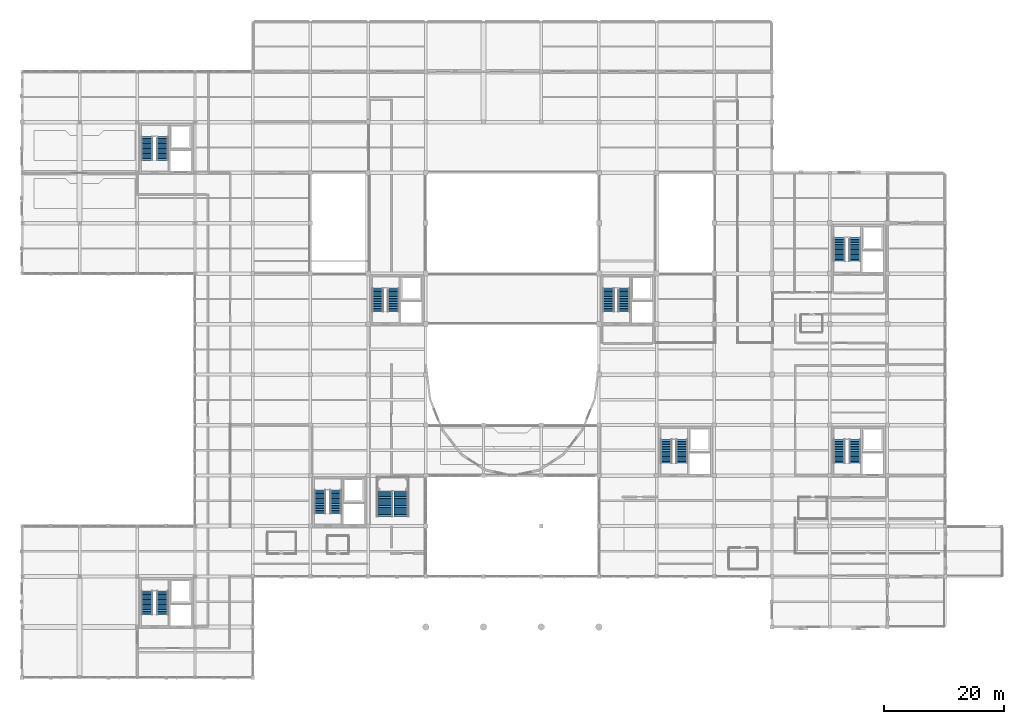
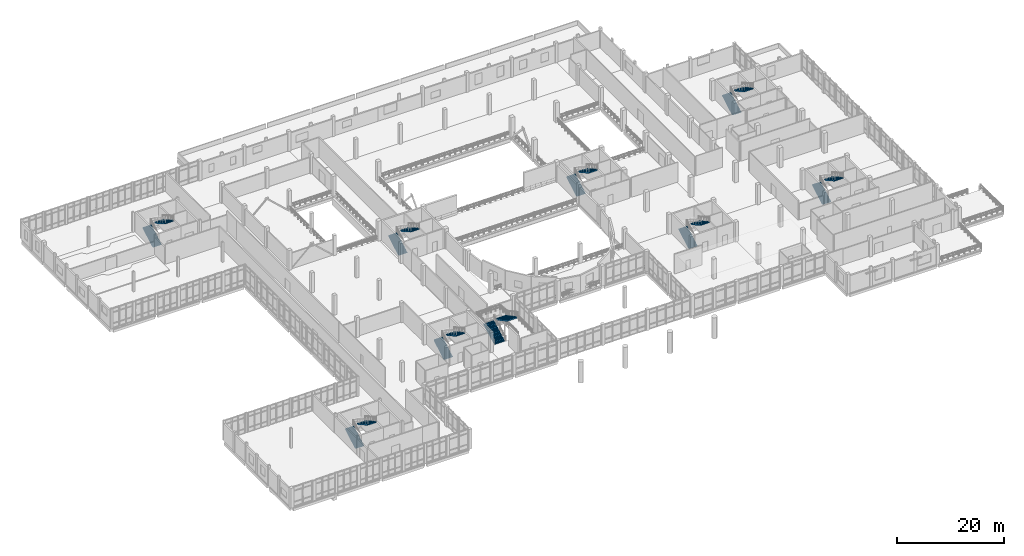
# One storey, part 95 of 102: 18 stair flights, 9 elements without a shape of their own.
"""IFC4 building model written with IfcOpenShell, lengths in metres."""

from ifc_helpers import new_model, si_unit, direction, frame, origin, place, context, subcontext, project, spatial, polyline, outline, extrude, material, layer, layer_set, type_object, element, aggregate, save


model = new_model("IFC4")

# Units and contexts
model_context = context("Model", 3, precision=1e-05, world=origin(), true_north=direction((0.0, 1.0)))
body_context = subcontext(model_context, "Body", "Model", "MODEL_VIEW")
ifc_project = project(units=[si_unit("LENGTHUNIT", "METRE"), si_unit("AREAUNIT", "SQUARE_METRE"), si_unit("VOLUMEUNIT", "CUBIC_METRE"), si_unit("PLANEANGLEUNIT", "RADIAN"), si_unit("MASSUNIT", "GRAM", prefix="KILO")], contexts=[model_context])

# Site, building, storey
site_placement = place(None, origin())
site = spatial("IfcSite", under=ifc_project, at=site_placement, CompositionType="ELEMENT")
building_placement = place(site_placement, origin())
building = spatial("IfcBuilding", under=site, at=building_placement, Name="Lornevale Opera House", CompositionType="ELEMENT")
storey_placement = place(building_placement, frame((0.0, 0.0, 5.39990234375)))
storey = spatial("IfcBuildingStorey", under=building, at=storey_placement, Name="L02", CompositionType="ELEMENT", Elevation=5.39990234375)

# Stair, stair flights
ifc_material = material(Name="Concrete 35 MPa (CSA A23.1 N)", Category="concrete")
ifc_layer_1 = layer(ifc_material, 4.800048828125)
ifc_layer_set_1 = layer_set([ifc_layer_1], Name="Concrete 35 MPa (CSA A23.1 N)")
stair_type_1 = type_object("IfcStairType", Name="Protected Exit Stair 4800-W1840", PredefinedType="TWO_STRAIGHT_RUN_STAIR", material=ifc_layer_set_1)
stair_1_placement = place(storey_placement, origin())
stair_1 = element("IfcStair", 1, at=stair_1_placement, inside=storey, type_object=stair_type_1, Name="South-West Foyer Core Stair ST-04 (L02-L03)", PredefinedType="TWO_STRAIGHT_RUN_STAIR")
ifc_layer_2 = layer(ifc_material, 0.199951171875)
ifc_layer_set_2 = layer_set([ifc_layer_2], Name="Concrete 35 MPa (CSA A23.1 N)")
stair_flight_type_1 = type_object("IfcStairFlightType", Name="Exit Stair Flight 15R-W1840", PredefinedType="STRAIGHT", material=ifc_layer_set_2)
stair_flight_1_placement = place(storey_placement, frame((49.60009765625, 27.260009765625, 0.0), z_axis=(0.0, 0.0, 1.0), x_axis=(0.0, 1.0, 0.0)))
stair_flight_1 = element("IfcStairFlight", 2, at=stair_flight_1_placement, type_object=stair_flight_type_1, Name="ST-04 Lower Flight SF-007", NumberOfRisers=15, NumberOfTreads=14, PredefinedType="STRAIGHT", RiserHeight=0.16, TreadLength=0.28, context=body_context, shape_type="SweptSolid", body=[
    extrude(outline(polyline([(0.0, 0.0), (0.0, 0.159912109375), (0.280029296875, 0.159912109375), (0.280029296875, 0.320068359375), (0.56005859375, 0.320068359375), (0.56005859375, 0.47998046875), (0.840087890625, 0.47998046875), (0.840087890625, 0.639892578125), (1.1201171875, 0.639892578125), (1.1201171875, 0.800048828125), (1.39990234375, 0.800048828125), (1.39990234375, 0.9599609375), (1.679931640625, 0.9599609375), (1.679931640625, 1.1201171875), (1.9599609375, 1.1201171875), (1.9599609375, 1.280029296875), (2.239990234375, 1.280029296875), (2.239990234375, 1.43994140625), (2.52001953125, 1.43994140625), (2.52001953125, 1.60009765625), (2.800048828125, 1.60009765625), (2.800048828125, 1.760009765625), (3.080078125, 1.760009765625), (3.080078125, 1.919921875), (3.360107421875, 1.919921875), (3.360107421875, 2.080078125), (3.639892578125, 2.080078125), (3.639892578125, 2.239990234375), (3.919921875, 2.239990234375), (3.919921875, 2.009765625), (0.403076171875, 0.0), (0.0, 0.0)])), frame((0.0, 0.919921875, 0.0), z_axis=(0.0, -1.0, 0.0), x_axis=(1.0, 0.0, 0.0)), (0.0, 0.0, 1.0), 1.840087890625),
])
stair_flight_2_placement = place(storey_placement, frame((52.199951171875, 31.179931640625, 2.400146484375), z_axis=(0.0, 0.0, 1.0), x_axis=(0.0, -1.0, 0.0)))
stair_flight_2 = element("IfcStairFlight", 3, at=stair_flight_2_placement, type_object=stair_flight_type_1, Name="ST-04 Upper Flight SF-008", NumberOfRisers=15, NumberOfTreads=14, PredefinedType="STRAIGHT", RiserHeight=0.16, TreadLength=0.28, context=body_context, shape_type="SweptSolid", body=[
    extrude(outline(polyline([(0.0, 0.0), (0.0, 0.159912109375), (0.280029296875, 0.159912109375), (0.280029296875, 0.320068359375), (0.56005859375, 0.320068359375), (0.56005859375, 0.47998046875), (0.840087890625, 0.47998046875), (0.840087890625, 0.639892578125), (1.1201171875, 0.639892578125), (1.1201171875, 0.800048828125), (1.39990234375, 0.800048828125), (1.39990234375, 0.9599609375), (1.679931640625, 0.9599609375), (1.679931640625, 1.1201171875), (1.9599609375, 1.1201171875), (1.9599609375, 1.280029296875), (2.239990234375, 1.280029296875), (2.239990234375, 1.43994140625), (2.52001953125, 1.43994140625), (2.52001953125, 1.60009765625), (2.800048828125, 1.60009765625), (2.800048828125, 1.760009765625), (3.080078125, 1.760009765625), (3.080078125, 1.919921875), (3.360107421875, 1.919921875), (3.360107421875, 2.080078125), (3.639892578125, 2.080078125), (3.639892578125, 2.239990234375), (3.919921875, 2.239990234375), (3.919921875, 2.009765625), (0.403076171875, 0.0), (0.0, 0.0)])), frame((0.0, 0.919921875, 0.0), z_axis=(0.0, -1.0, 0.0), x_axis=(1.0, 0.0, 0.0)), (0.0, 0.0, 1.0), 1.840087890625),
])
aggregate(stair_1, [stair_flight_1, stair_flight_2])

stair_2_placement = place(storey_placement, origin())
stair_2 = element("IfcStair", 4, at=stair_2_placement, inside=storey, type_object=stair_type_1, Name="South-East Foyer Core Stair ST-07 (L02-L03)", PredefinedType="TWO_STRAIGHT_RUN_STAIR")
stair_flight_3_placement = place(storey_placement, frame((107.199951171875, 35.659912109375, 0.0), z_axis=(0.0, 0.0, 1.0), x_axis=(0.0, 1.0, 0.0)))
stair_flight_3 = element("IfcStairFlight", 5, at=stair_flight_3_placement, type_object=stair_flight_type_1, Name="ST-07 Lower Flight SF-013", NumberOfRisers=15, NumberOfTreads=14, PredefinedType="STRAIGHT", RiserHeight=0.16, TreadLength=0.28, context=body_context, shape_type="SweptSolid", body=[
    extrude(outline(polyline([(0.0, 0.0), (0.0, 0.159912109375), (0.280029296875, 0.159912109375), (0.280029296875, 0.320068359375), (0.56005859375, 0.320068359375), (0.56005859375, 0.47998046875), (0.840087890625, 0.47998046875), (0.840087890625, 0.639892578125), (1.1201171875, 0.639892578125), (1.1201171875, 0.800048828125), (1.39990234375, 0.800048828125), (1.39990234375, 0.9599609375), (1.679931640625, 0.9599609375), (1.679931640625, 1.1201171875), (1.9599609375, 1.1201171875), (1.9599609375, 1.280029296875), (2.239990234375, 1.280029296875), (2.239990234375, 1.43994140625), (2.52001953125, 1.43994140625), (2.52001953125, 1.60009765625), (2.800048828125, 1.60009765625), (2.800048828125, 1.760009765625), (3.080078125, 1.760009765625), (3.080078125, 1.919921875), (3.360107421875, 1.919921875), (3.360107421875, 2.080078125), (3.639892578125, 2.080078125), (3.639892578125, 2.239990234375), (3.919921875, 2.239990234375), (3.919921875, 2.009765625), (0.403076171875, 0.0), (0.0, 0.0)])), frame((0.0, 0.919921875, 0.0), z_axis=(0.0, -1.0, 0.0), x_axis=(1.0, 0.0, 0.0)), (0.0, 0.0, 1.0), 1.840087890625),
])
stair_flight_4_placement = place(storey_placement, frame((109.800048828125, 39.580078125, 2.400146484375), z_axis=(0.0, 0.0, 1.0), x_axis=(0.0, -1.0, 0.0)))
stair_flight_4 = element("IfcStairFlight", 6, at=stair_flight_4_placement, type_object=stair_flight_type_1, Name="ST-07 Upper Flight SF-014", NumberOfRisers=15, NumberOfTreads=14, PredefinedType="STRAIGHT", RiserHeight=0.16, TreadLength=0.28, context=body_context, shape_type="SweptSolid", body=[
    extrude(outline(polyline([(0.0, 0.0), (0.0, 0.159912109375), (0.280029296875, 0.159912109375), (0.280029296875, 0.320068359375), (0.56005859375, 0.320068359375), (0.56005859375, 0.47998046875), (0.840087890625, 0.47998046875), (0.840087890625, 0.639892578125), (1.1201171875, 0.639892578125), (1.1201171875, 0.800048828125), (1.39990234375, 0.800048828125), (1.39990234375, 0.9599609375), (1.679931640625, 0.9599609375), (1.679931640625, 1.1201171875), (1.9599609375, 1.1201171875), (1.9599609375, 1.280029296875), (2.239990234375, 1.280029296875), (2.239990234375, 1.43994140625), (2.52001953125, 1.43994140625), (2.52001953125, 1.60009765625), (2.800048828125, 1.60009765625), (2.800048828125, 1.760009765625), (3.080078125, 1.760009765625), (3.080078125, 1.919921875), (3.360107421875, 1.919921875), (3.360107421875, 2.080078125), (3.639892578125, 2.080078125), (3.639892578125, 2.239990234375), (3.919921875, 2.239990234375), (3.919921875, 2.009765625), (0.403076171875, 0.0), (0.0, 0.0)])), frame((0.0, 0.919921875, 0.0), z_axis=(0.0, -1.0, 0.0), x_axis=(1.0, 0.0, 0.0)), (0.0, 0.0, 1.0), 1.840087890625),
])
aggregate(stair_2, [stair_flight_3, stair_flight_4])

stair_3_placement = place(storey_placement, origin())
stair_3 = element("IfcStair", 7, at=stair_3_placement, inside=storey, type_object=stair_type_1, Name="Chamber Pavilion Core Stair ST-11 (L02-L03)", PredefinedType="TWO_STRAIGHT_RUN_STAIR")
stair_flight_5_placement = place(storey_placement, frame((20.800048828125, 10.4599609375, 0.0), z_axis=(0.0, 0.0, 1.0), x_axis=(0.0, 1.0, 0.0)))
stair_flight_5 = element("IfcStairFlight", 8, at=stair_flight_5_placement, type_object=stair_flight_type_1, Name="ST-11 Lower Flight SF-021", NumberOfRisers=15, NumberOfTreads=14, PredefinedType="STRAIGHT", RiserHeight=0.16, TreadLength=0.28, context=body_context, shape_type="SweptSolid", body=[
    extrude(outline(polyline([(0.0, 0.0), (0.0, 0.159912109375), (0.280029296875, 0.159912109375), (0.280029296875, 0.320068359375), (0.56005859375, 0.320068359375), (0.56005859375, 0.47998046875), (0.840087890625, 0.47998046875), (0.840087890625, 0.639892578125), (1.1201171875, 0.639892578125), (1.1201171875, 0.800048828125), (1.39990234375, 0.800048828125), (1.39990234375, 0.9599609375), (1.679931640625, 0.9599609375), (1.679931640625, 1.1201171875), (1.9599609375, 1.1201171875), (1.9599609375, 1.280029296875), (2.239990234375, 1.280029296875), (2.239990234375, 1.43994140625), (2.52001953125, 1.43994140625), (2.52001953125, 1.60009765625), (2.800048828125, 1.60009765625), (2.800048828125, 1.760009765625), (3.080078125, 1.760009765625), (3.080078125, 1.919921875), (3.360107421875, 1.919921875), (3.360107421875, 2.080078125), (3.639892578125, 2.080078125), (3.639892578125, 2.239990234375), (3.919921875, 2.239990234375), (3.919921875, 2.009765625), (0.403076171875, 0.0), (0.0, 0.0)])), frame((0.0, 0.919921875, 0.0), z_axis=(0.0, -1.0, 0.0), x_axis=(1.0, 0.0, 0.0)), (0.0, 0.0, 1.0), 1.840087890625),
])
stair_flight_6_placement = place(storey_placement, frame((23.39990234375, 14.3798828125, 2.400146484375), z_axis=(0.0, 0.0, 1.0), x_axis=(0.0, -1.0, 0.0)))
stair_flight_6 = element("IfcStairFlight", 9, at=stair_flight_6_placement, type_object=stair_flight_type_1, Name="ST-11 Upper Flight SF-022", NumberOfRisers=15, NumberOfTreads=14, PredefinedType="STRAIGHT", RiserHeight=0.16, TreadLength=0.28, context=body_context, shape_type="SweptSolid", body=[
    extrude(outline(polyline([(0.0, 0.0), (0.0, 0.159912109375), (0.280029296875, 0.159912109375), (0.280029296875, 0.320068359375), (0.56005859375, 0.320068359375), (0.56005859375, 0.47998046875), (0.840087890625, 0.47998046875), (0.840087890625, 0.639892578125), (1.1201171875, 0.639892578125), (1.1201171875, 0.800048828125), (1.39990234375, 0.800048828125), (1.39990234375, 0.9599609375), (1.679931640625, 0.9599609375), (1.679931640625, 1.1201171875), (1.9599609375, 1.1201171875), (1.9599609375, 1.280029296875), (2.239990234375, 1.280029296875), (2.239990234375, 1.43994140625), (2.52001953125, 1.43994140625), (2.52001953125, 1.60009765625), (2.800048828125, 1.60009765625), (2.800048828125, 1.760009765625), (3.080078125, 1.760009765625), (3.080078125, 1.919921875), (3.360107421875, 1.919921875), (3.360107421875, 2.080078125), (3.639892578125, 2.080078125), (3.639892578125, 2.239990234375), (3.919921875, 2.239990234375), (3.919921875, 2.009765625), (0.403076171875, 0.0), (0.0, 0.0)])), frame((0.0, 0.919921875, 0.0), z_axis=(0.0, -1.0, 0.0), x_axis=(1.0, 0.0, 0.0)), (0.0, 0.0, 1.0), 1.840087890625),
])
aggregate(stair_3, [stair_flight_5, stair_flight_6])

stair_4_placement = place(storey_placement, origin())
stair_4 = element("IfcStair", 10, at=stair_4_placement, inside=storey, type_object=stair_type_1, Name="North-West Workshop Core Stair ST-14 (L02-L03)", PredefinedType="TWO_STRAIGHT_RUN_STAIR")
stair_flight_7_placement = place(storey_placement, frame((20.800048828125, 86.06005859375, 0.0), z_axis=(0.0, 0.0, 1.0), x_axis=(0.0, 1.0, 0.0)))
stair_flight_7 = element("IfcStairFlight", 11, at=stair_flight_7_placement, type_object=stair_flight_type_1, Name="ST-14 Lower Flight SF-027", NumberOfRisers=15, NumberOfTreads=14, PredefinedType="STRAIGHT", RiserHeight=0.16, TreadLength=0.28, context=body_context, shape_type="SweptSolid", body=[
    extrude(outline(polyline([(0.0, 0.0), (0.0, 0.159912109375), (0.280029296875, 0.159912109375), (0.280029296875, 0.320068359375), (0.56005859375, 0.320068359375), (0.56005859375, 0.47998046875), (0.840087890625, 0.47998046875), (0.840087890625, 0.639892578125), (1.1201171875, 0.639892578125), (1.1201171875, 0.800048828125), (1.39990234375, 0.800048828125), (1.39990234375, 0.9599609375), (1.679931640625, 0.9599609375), (1.679931640625, 1.1201171875), (1.9599609375, 1.1201171875), (1.9599609375, 1.280029296875), (2.239990234375, 1.280029296875), (2.239990234375, 1.43994140625), (2.52001953125, 1.43994140625), (2.52001953125, 1.60009765625), (2.800048828125, 1.60009765625), (2.800048828125, 1.760009765625), (3.080078125, 1.760009765625), (3.080078125, 1.919921875), (3.360107421875, 1.919921875), (3.360107421875, 2.080078125), (3.639892578125, 2.080078125), (3.639892578125, 2.239990234375), (3.919921875, 2.239990234375), (3.919921875, 2.009765625), (0.403076171875, 0.0), (0.0, 0.0)])), frame((0.0, 0.919921875, 0.0), z_axis=(0.0, -1.0, 0.0), x_axis=(1.0, 0.0, 0.0)), (0.0, 0.0, 1.0), 1.840087890625),
])
stair_flight_8_placement = place(storey_placement, frame((23.39990234375, 89.97998046875, 2.400146484375), z_axis=(0.0, 0.0, 1.0), x_axis=(0.0, -1.0, 0.0)))
stair_flight_8 = element("IfcStairFlight", 12, at=stair_flight_8_placement, type_object=stair_flight_type_1, Name="ST-14 Upper Flight SF-028", NumberOfRisers=15, NumberOfTreads=14, PredefinedType="STRAIGHT", RiserHeight=0.16, TreadLength=0.28, context=body_context, shape_type="SweptSolid", body=[
    extrude(outline(polyline([(0.0, 0.0), (0.0, 0.159912109375), (0.280029296875, 0.159912109375), (0.280029296875, 0.320068359375), (0.56005859375, 0.320068359375), (0.56005859375, 0.47998046875), (0.840087890625, 0.47998046875), (0.840087890625, 0.639892578125), (1.1201171875, 0.639892578125), (1.1201171875, 0.800048828125), (1.39990234375, 0.800048828125), (1.39990234375, 0.9599609375), (1.679931640625, 0.9599609375), (1.679931640625, 1.1201171875), (1.9599609375, 1.1201171875), (1.9599609375, 1.280029296875), (2.239990234375, 1.280029296875), (2.239990234375, 1.43994140625), (2.52001953125, 1.43994140625), (2.52001953125, 1.60009765625), (2.800048828125, 1.60009765625), (2.800048828125, 1.760009765625), (3.080078125, 1.760009765625), (3.080078125, 1.919921875), (3.360107421875, 1.919921875), (3.360107421875, 2.080078125), (3.639892578125, 2.080078125), (3.639892578125, 2.239990234375), (3.919921875, 2.239990234375), (3.919921875, 2.009765625), (0.403076171875, 0.0), (0.0, 0.0)])), frame((0.0, 0.919921875, 0.0), z_axis=(0.0, -1.0, 0.0), x_axis=(1.0, 0.0, 0.0)), (0.0, 0.0, 1.0), 1.840087890625),
])
aggregate(stair_4, [stair_flight_7, stair_flight_8])

stair_5_placement = place(storey_placement, origin())
stair_5 = element("IfcStair", 13, at=stair_5_placement, inside=storey, type_object=stair_type_1, Name="Auditorium West Tier Core Stair ST-17 (L02-L03)", PredefinedType="TWO_STRAIGHT_RUN_STAIR")
stair_flight_9_placement = place(storey_placement, frame((59.199951171875, 60.860107421875, 0.0), z_axis=(0.0, 0.0, 1.0), x_axis=(0.0, 1.0, 0.0)))
stair_flight_9 = element("IfcStairFlight", 14, at=stair_flight_9_placement, type_object=stair_flight_type_1, Name="ST-17 Lower Flight SF-033", NumberOfRisers=15, NumberOfTreads=14, PredefinedType="STRAIGHT", RiserHeight=0.16, TreadLength=0.28, context=body_context, shape_type="SweptSolid", body=[
    extrude(outline(polyline([(0.0, 0.0), (0.0, 0.159912109375), (0.280029296875, 0.159912109375), (0.280029296875, 0.320068359375), (0.56005859375, 0.320068359375), (0.56005859375, 0.47998046875), (0.840087890625, 0.47998046875), (0.840087890625, 0.639892578125), (1.1201171875, 0.639892578125), (1.1201171875, 0.800048828125), (1.39990234375, 0.800048828125), (1.39990234375, 0.9599609375), (1.679931640625, 0.9599609375), (1.679931640625, 1.1201171875), (1.9599609375, 1.1201171875), (1.9599609375, 1.280029296875), (2.239990234375, 1.280029296875), (2.239990234375, 1.43994140625), (2.52001953125, 1.43994140625), (2.52001953125, 1.60009765625), (2.800048828125, 1.60009765625), (2.800048828125, 1.760009765625), (3.080078125, 1.760009765625), (3.080078125, 1.919921875), (3.360107421875, 1.919921875), (3.360107421875, 2.080078125), (3.639892578125, 2.080078125), (3.639892578125, 2.239990234375), (3.919921875, 2.239990234375), (3.919921875, 2.009765625), (0.403076171875, 0.0), (0.0, 0.0)])), frame((0.0, 0.919921875, 0.0), z_axis=(0.0, -1.0, 0.0), x_axis=(1.0, 0.0, 0.0)), (0.0, 0.0, 1.0), 1.840087890625),
])
stair_flight_10_placement = place(storey_placement, frame((61.800048828125, 64.780029296875, 2.400146484375), z_axis=(0.0, 0.0, 1.0), x_axis=(0.0, -1.0, 0.0)))
stair_flight_10 = element("IfcStairFlight", 15, at=stair_flight_10_placement, type_object=stair_flight_type_1, Name="ST-17 Upper Flight SF-034", NumberOfRisers=15, NumberOfTreads=14, PredefinedType="STRAIGHT", RiserHeight=0.16, TreadLength=0.28, context=body_context, shape_type="SweptSolid", body=[
    extrude(outline(polyline([(0.0, 0.0), (0.0, 0.159912109375), (0.280029296875, 0.159912109375), (0.280029296875, 0.320068359375), (0.56005859375, 0.320068359375), (0.56005859375, 0.47998046875), (0.840087890625, 0.47998046875), (0.840087890625, 0.639892578125), (1.1201171875, 0.639892578125), (1.1201171875, 0.800048828125), (1.39990234375, 0.800048828125), (1.39990234375, 0.9599609375), (1.679931640625, 0.9599609375), (1.679931640625, 1.1201171875), (1.9599609375, 1.1201171875), (1.9599609375, 1.280029296875), (2.239990234375, 1.280029296875), (2.239990234375, 1.43994140625), (2.52001953125, 1.43994140625), (2.52001953125, 1.60009765625), (2.800048828125, 1.60009765625), (2.800048828125, 1.760009765625), (3.080078125, 1.760009765625), (3.080078125, 1.919921875), (3.360107421875, 1.919921875), (3.360107421875, 2.080078125), (3.639892578125, 2.080078125), (3.639892578125, 2.239990234375), (3.919921875, 2.239990234375), (3.919921875, 2.009765625), (0.403076171875, 0.0), (0.0, 0.0)])), frame((0.0, 0.919921875, 0.0), z_axis=(0.0, -1.0, 0.0), x_axis=(1.0, 0.0, 0.0)), (0.0, 0.0, 1.0), 1.840087890625),
])
aggregate(stair_5, [stair_flight_9, stair_flight_10])

stair_6_placement = place(storey_placement, origin())
stair_6 = element("IfcStair", 16, at=stair_6_placement, inside=storey, type_object=stair_type_1, Name="Backstage Service Lift Core Stair ST-38 (L02-L03)", PredefinedType="TWO_STRAIGHT_RUN_STAIR")
stair_flight_11_placement = place(storey_placement, frame((136.0, 35.659912109375, 0.0), z_axis=(0.0, 0.0, 1.0), x_axis=(0.0, 1.0, 0.0)))
stair_flight_11 = element("IfcStairFlight", 17, at=stair_flight_11_placement, type_object=stair_flight_type_1, Name="ST-38 Lower Flight SF-075", NumberOfRisers=15, NumberOfTreads=14, PredefinedType="STRAIGHT", RiserHeight=0.16, TreadLength=0.28, context=body_context, shape_type="SweptSolid", body=[
    extrude(outline(polyline([(0.0, 0.0), (0.0, 0.159912109375), (0.280029296875, 0.159912109375), (0.280029296875, 0.320068359375), (0.56005859375, 0.320068359375), (0.56005859375, 0.47998046875), (0.840087890625, 0.47998046875), (0.840087890625, 0.639892578125), (1.1201171875, 0.639892578125), (1.1201171875, 0.800048828125), (1.39990234375, 0.800048828125), (1.39990234375, 0.9599609375), (1.679931640625, 0.9599609375), (1.679931640625, 1.1201171875), (1.9599609375, 1.1201171875), (1.9599609375, 1.280029296875), (2.239990234375, 1.280029296875), (2.239990234375, 1.43994140625), (2.52001953125, 1.43994140625), (2.52001953125, 1.60009765625), (2.800048828125, 1.60009765625), (2.800048828125, 1.760009765625), (3.080078125, 1.760009765625), (3.080078125, 1.919921875), (3.360107421875, 1.919921875), (3.360107421875, 2.080078125), (3.639892578125, 2.080078125), (3.639892578125, 2.239990234375), (3.919921875, 2.239990234375), (3.919921875, 2.009765625), (0.403076171875, 0.0), (0.0, 0.0)])), frame((0.0, 0.919921875, 0.0), z_axis=(0.0, -1.0, 0.0), x_axis=(1.0, 0.0, 0.0)), (0.0, 0.0, 1.0), 1.840087890625),
])
stair_flight_12_placement = place(storey_placement, frame((138.60009765625, 39.580078125, 2.400146484375), z_axis=(0.0, 0.0, 1.0), x_axis=(0.0, -1.0, 0.0)))
stair_flight_12 = element("IfcStairFlight", 18, at=stair_flight_12_placement, type_object=stair_flight_type_1, Name="ST-38 Upper Flight SF-076", NumberOfRisers=15, NumberOfTreads=14, PredefinedType="STRAIGHT", RiserHeight=0.16, TreadLength=0.28, context=body_context, shape_type="SweptSolid", body=[
    extrude(outline(polyline([(0.0, 0.0), (0.0, 0.159912109375), (0.280029296875, 0.159912109375), (0.280029296875, 0.320068359375), (0.56005859375, 0.320068359375), (0.56005859375, 0.47998046875), (0.840087890625, 0.47998046875), (0.840087890625, 0.639892578125), (1.1201171875, 0.639892578125), (1.1201171875, 0.800048828125), (1.39990234375, 0.800048828125), (1.39990234375, 0.9599609375), (1.679931640625, 0.9599609375), (1.679931640625, 1.1201171875), (1.9599609375, 1.1201171875), (1.9599609375, 1.280029296875), (2.239990234375, 1.280029296875), (2.239990234375, 1.43994140625), (2.52001953125, 1.43994140625), (2.52001953125, 1.60009765625), (2.800048828125, 1.60009765625), (2.800048828125, 1.760009765625), (3.080078125, 1.760009765625), (3.080078125, 1.919921875), (3.360107421875, 1.919921875), (3.360107421875, 2.080078125), (3.639892578125, 2.080078125), (3.639892578125, 2.239990234375), (3.919921875, 2.239990234375), (3.919921875, 2.009765625), (0.403076171875, 0.0), (0.0, 0.0)])), frame((0.0, 0.919921875, 0.0), z_axis=(0.0, -1.0, 0.0), x_axis=(1.0, 0.0, 0.0)), (0.0, 0.0, 1.0), 1.840087890625),
])
aggregate(stair_6, [stair_flight_11, stair_flight_12])

ifc_layer_3 = layer(ifc_material, 4.800048828125)
ifc_layer_set_3 = layer_set([ifc_layer_3], Name="Concrete 35 MPa (CSA A23.1 N)")
stair_type_2 = type_object("IfcStairType", Name="Grand Foyer Feature Stair 4800-W2200", PredefinedType="TWO_STRAIGHT_RUN_STAIR", material=ifc_layer_set_3)
stair_7_placement = place(storey_placement, origin())
stair_7 = element("IfcStair", 19, at=stair_7_placement, inside=storey, type_object=stair_type_2, Name="Winter-Garden Grand Stair ST-41", PredefinedType="TWO_STRAIGHT_RUN_STAIR")
ifc_layer_4 = layer(ifc_material, 0.239990234375)
ifc_layer_set_4 = layer_set([ifc_layer_4], Name="Concrete 35 MPa (CSA A23.1 N)")
stair_flight_type_2 = type_object("IfcStairFlightType", Name="Feature Stair Flight 15R-160-W2200", PredefinedType="STRAIGHT", material=ifc_layer_set_4)
stair_flight_13_placement = place(storey_placement, frame((60.39990234375, 26.800048828125, 0.0), z_axis=(0.0, 0.0, 1.0), x_axis=(0.0, 1.0, 0.0)))
stair_flight_13 = element("IfcStairFlight", 20, at=stair_flight_13_placement, type_object=stair_flight_type_2, Name="Grand Stair Lower Flight ST-41", NumberOfRisers=15, NumberOfTreads=14, PredefinedType="STRAIGHT", RiserHeight=0.16, TreadLength=0.3, context=body_context, shape_type="SweptSolid", body=[
    extrude(outline(polyline([(0.0, 0.0), (0.0, 0.159912109375), (0.300048828125, 0.159912109375), (0.300048828125, 0.320068359375), (0.60009765625, 0.320068359375), (0.60009765625, 0.47998046875), (0.89990234375, 0.47998046875), (0.89990234375, 0.639892578125), (1.199951171875, 0.639892578125), (1.199951171875, 0.800048828125), (1.5, 0.800048828125), (1.5, 0.9599609375), (1.800048828125, 0.9599609375), (1.800048828125, 1.1201171875), (2.10009765625, 1.1201171875), (2.10009765625, 1.280029296875), (2.39990234375, 1.280029296875), (2.39990234375, 1.43994140625), (2.699951171875, 1.43994140625), (2.699951171875, 1.60009765625), (3.0, 1.60009765625), (3.0, 1.760009765625), (3.300048828125, 1.760009765625), (3.300048828125, 1.919921875), (3.60009765625, 1.919921875), (3.60009765625, 2.080078125), (3.89990234375, 2.080078125), (3.89990234375, 2.239990234375), (4.199951171875, 2.239990234375), (4.199951171875, 1.968017578125), (0.510009765625, 0.0), (0.0, 0.0)])), frame((0.0, 1.10009765625, 0.0), z_axis=(0.0, -1.0, 0.0), x_axis=(1.0, 0.0, 0.0)), (0.0, 0.0, 1.0), 2.199951171875),
])
stair_flight_14_placement = place(storey_placement, frame((63.0, 31.0, 2.400146484375), z_axis=(0.0, 0.0, 1.0), x_axis=(0.0, -1.0, 0.0)))
stair_flight_14 = element("IfcStairFlight", 21, at=stair_flight_14_placement, type_object=stair_flight_type_2, Name="Grand Stair Upper Flight ST-41", NumberOfRisers=15, NumberOfTreads=14, PredefinedType="STRAIGHT", RiserHeight=0.16, TreadLength=0.3, context=body_context, shape_type="SweptSolid", body=[
    extrude(outline(polyline([(0.0, 0.0), (0.0, 0.159912109375), (0.300048828125, 0.159912109375), (0.300048828125, 0.320068359375), (0.60009765625, 0.320068359375), (0.60009765625, 0.47998046875), (0.89990234375, 0.47998046875), (0.89990234375, 0.639892578125), (1.199951171875, 0.639892578125), (1.199951171875, 0.800048828125), (1.5, 0.800048828125), (1.5, 0.9599609375), (1.800048828125, 0.9599609375), (1.800048828125, 1.1201171875), (2.10009765625, 1.1201171875), (2.10009765625, 1.280029296875), (2.39990234375, 1.280029296875), (2.39990234375, 1.43994140625), (2.699951171875, 1.43994140625), (2.699951171875, 1.60009765625), (3.0, 1.60009765625), (3.0, 1.760009765625), (3.300048828125, 1.760009765625), (3.300048828125, 1.919921875), (3.60009765625, 1.919921875), (3.60009765625, 2.080078125), (3.89990234375, 2.080078125), (3.89990234375, 2.239990234375), (4.199951171875, 2.239990234375), (4.199951171875, 1.968017578125), (0.510009765625, 0.0), (0.0, 0.0)])), frame((0.0, 1.10009765625, 0.0), z_axis=(0.0, -1.0, 0.0), x_axis=(1.0, 0.0, 0.0)), (0.0, 0.0, 1.0), 2.199951171875),
])
aggregate(stair_7, [stair_flight_13, stair_flight_14])

ifc_layer_5 = layer(ifc_material, 4.800048828125)
ifc_layer_set_5 = layer_set([ifc_layer_5], Name="Concrete 35 MPa (CSA A23.1 N)")
stair_type_3 = type_object("IfcStairType", Name="Firefighter Core Stair 4800-W1880", PredefinedType="TWO_STRAIGHT_RUN_STAIR", material=ifc_layer_set_5)
stair_8_placement = place(storey_placement, origin())
stair_8 = element("IfcStair", 22, at=stair_8_placement, inside=storey, type_object=stair_type_3, Name="Stagehouse Firefighter Core West Stair ST-23 (L02-L03)", PredefinedType="TWO_STRAIGHT_RUN_STAIR")
ifc_layer_6 = layer(ifc_material, 0.219970703125)
ifc_layer_set_6 = layer_set([ifc_layer_6], Name="Concrete 35 MPa (CSA A23.1 N)")
stair_flight_type_3 = type_object("IfcStairFlightType", Name="Firefighter Flight 15R-W1880", PredefinedType="STRAIGHT", material=ifc_layer_set_6)
stair_flight_15_placement = place(storey_placement, frame((97.6201171875, 60.860107421875, 0.0), z_axis=(0.0, 0.0, 1.0), x_axis=(0.0, 1.0, 0.0)))
stair_flight_15 = element("IfcStairFlight", 23, at=stair_flight_15_placement, type_object=stair_flight_type_3, Name="ST-23 Lower Flight SF-045", NumberOfRisers=15, NumberOfTreads=14, PredefinedType="STRAIGHT", RiserHeight=0.16, TreadLength=0.28, context=body_context, shape_type="SweptSolid", body=[
    extrude(outline(polyline([(0.0, 0.0), (0.0, 0.159912109375), (0.280029296875, 0.159912109375), (0.280029296875, 0.320068359375), (0.56005859375, 0.320068359375), (0.56005859375, 0.47998046875), (0.840087890625, 0.47998046875), (0.840087890625, 0.639892578125), (1.1201171875, 0.639892578125), (1.1201171875, 0.800048828125), (1.39990234375, 0.800048828125), (1.39990234375, 0.9599609375), (1.679931640625, 0.9599609375), (1.679931640625, 1.1201171875), (1.9599609375, 1.1201171875), (1.9599609375, 1.280029296875), (2.239990234375, 1.280029296875), (2.239990234375, 1.43994140625), (2.52001953125, 1.43994140625), (2.52001953125, 1.60009765625), (2.800048828125, 1.60009765625), (2.800048828125, 1.760009765625), (3.080078125, 1.760009765625), (3.080078125, 1.919921875), (3.360107421875, 1.919921875), (3.360107421875, 2.080078125), (3.639892578125, 2.080078125), (3.639892578125, 2.239990234375), (3.919921875, 2.239990234375), (3.919921875, 1.986572265625), (0.443359375, 0.0), (0.0, 0.0)])), frame((0.0, 0.93994140625, 0.0), z_axis=(0.0, -1.0, 0.0), x_axis=(1.0, 0.0, 0.0)), (0.0, 0.0, 1.0), 1.8798828125),
])
stair_flight_16_placement = place(storey_placement, frame((100.179931640625, 64.780029296875, 2.400146484375), z_axis=(0.0, 0.0, 1.0), x_axis=(0.0, -1.0, 0.0)))
stair_flight_16 = element("IfcStairFlight", 24, at=stair_flight_16_placement, type_object=stair_flight_type_3, Name="ST-23 Upper Flight SF-046", NumberOfRisers=15, NumberOfTreads=14, PredefinedType="STRAIGHT", RiserHeight=0.16, TreadLength=0.28, context=body_context, shape_type="SweptSolid", body=[
    extrude(outline(polyline([(0.0, 0.0), (0.0, 0.159912109375), (0.280029296875, 0.159912109375), (0.280029296875, 0.320068359375), (0.56005859375, 0.320068359375), (0.56005859375, 0.47998046875), (0.840087890625, 0.47998046875), (0.840087890625, 0.639892578125), (1.1201171875, 0.639892578125), (1.1201171875, 0.800048828125), (1.39990234375, 0.800048828125), (1.39990234375, 0.9599609375), (1.679931640625, 0.9599609375), (1.679931640625, 1.1201171875), (1.9599609375, 1.1201171875), (1.9599609375, 1.280029296875), (2.239990234375, 1.280029296875), (2.239990234375, 1.43994140625), (2.52001953125, 1.43994140625), (2.52001953125, 1.60009765625), (2.800048828125, 1.60009765625), (2.800048828125, 1.760009765625), (3.080078125, 1.760009765625), (3.080078125, 1.919921875), (3.360107421875, 1.919921875), (3.360107421875, 2.080078125), (3.639892578125, 2.080078125), (3.639892578125, 2.239990234375), (3.919921875, 2.239990234375), (3.919921875, 1.986572265625), (0.443359375, 0.0), (0.0, 0.0)])), frame((0.0, 0.93994140625, 0.0), z_axis=(0.0, -1.0, 0.0), x_axis=(1.0, 0.0, 0.0)), (0.0, 0.0, 1.0), 1.8798828125),
])
aggregate(stair_8, [stair_flight_15, stair_flight_16])

stair_9_placement = place(storey_placement, origin())
stair_9 = element("IfcStair", 25, at=stair_9_placement, inside=storey, type_object=stair_type_3, Name="Backstage Firefighter Core East Stair ST-31 (L02-L03)", PredefinedType="TWO_STRAIGHT_RUN_STAIR")
stair_flight_17_placement = place(storey_placement, frame((136.02001953125, 69.260009765625, 0.0), z_axis=(0.0, 0.0, 1.0), x_axis=(0.0, 1.0, 0.0)))
stair_flight_17 = element("IfcStairFlight", 26, at=stair_flight_17_placement, type_object=stair_flight_type_3, Name="ST-31 Lower Flight SF-061", NumberOfRisers=15, NumberOfTreads=14, PredefinedType="STRAIGHT", RiserHeight=0.16, TreadLength=0.28, context=body_context, shape_type="SweptSolid", body=[
    extrude(outline(polyline([(0.0, 0.0), (0.0, 0.159912109375), (0.280029296875, 0.159912109375), (0.280029296875, 0.320068359375), (0.56005859375, 0.320068359375), (0.56005859375, 0.47998046875), (0.840087890625, 0.47998046875), (0.840087890625, 0.639892578125), (1.1201171875, 0.639892578125), (1.1201171875, 0.800048828125), (1.39990234375, 0.800048828125), (1.39990234375, 0.9599609375), (1.679931640625, 0.9599609375), (1.679931640625, 1.1201171875), (1.9599609375, 1.1201171875), (1.9599609375, 1.280029296875), (2.239990234375, 1.280029296875), (2.239990234375, 1.43994140625), (2.52001953125, 1.43994140625), (2.52001953125, 1.60009765625), (2.800048828125, 1.60009765625), (2.800048828125, 1.760009765625), (3.080078125, 1.760009765625), (3.080078125, 1.919921875), (3.360107421875, 1.919921875), (3.360107421875, 2.080078125), (3.639892578125, 2.080078125), (3.639892578125, 2.239990234375), (3.919921875, 2.239990234375), (3.919921875, 1.986572265625), (0.443359375, 0.0), (0.0, 0.0)])), frame((0.0, 0.93994140625, 0.0), z_axis=(0.0, -1.0, 0.0), x_axis=(1.0, 0.0, 0.0)), (0.0, 0.0, 1.0), 1.8798828125),
])
stair_flight_18_placement = place(storey_placement, frame((138.580078125, 73.179931640625, 2.400146484375), z_axis=(0.0, 0.0, 1.0), x_axis=(0.0, -1.0, 0.0)))
stair_flight_18 = element("IfcStairFlight", 27, at=stair_flight_18_placement, type_object=stair_flight_type_3, Name="ST-31 Upper Flight SF-062", NumberOfRisers=15, NumberOfTreads=14, PredefinedType="STRAIGHT", RiserHeight=0.16, TreadLength=0.28, context=body_context, shape_type="SweptSolid", body=[
    extrude(outline(polyline([(0.0, 0.0), (0.0, 0.159912109375), (0.280029296875, 0.159912109375), (0.280029296875, 0.320068359375), (0.56005859375, 0.320068359375), (0.56005859375, 0.47998046875), (0.840087890625, 0.47998046875), (0.840087890625, 0.639892578125), (1.1201171875, 0.639892578125), (1.1201171875, 0.800048828125), (1.39990234375, 0.800048828125), (1.39990234375, 0.9599609375), (1.679931640625, 0.9599609375), (1.679931640625, 1.1201171875), (1.9599609375, 1.1201171875), (1.9599609375, 1.280029296875), (2.239990234375, 1.280029296875), (2.239990234375, 1.43994140625), (2.52001953125, 1.43994140625), (2.52001953125, 1.60009765625), (2.800048828125, 1.60009765625), (2.800048828125, 1.760009765625), (3.080078125, 1.760009765625), (3.080078125, 1.919921875), (3.360107421875, 1.919921875), (3.360107421875, 2.080078125), (3.639892578125, 2.080078125), (3.639892578125, 2.239990234375), (3.919921875, 2.239990234375), (3.919921875, 1.986572265625), (0.443359375, 0.0), (0.0, 0.0)])), frame((0.0, 0.93994140625, 0.0), z_axis=(0.0, -1.0, 0.0), x_axis=(1.0, 0.0, 0.0)), (0.0, 0.0, 1.0), 1.8798828125),
])
aggregate(stair_9, [stair_flight_17, stair_flight_18])

save(model, "model.ifc")
